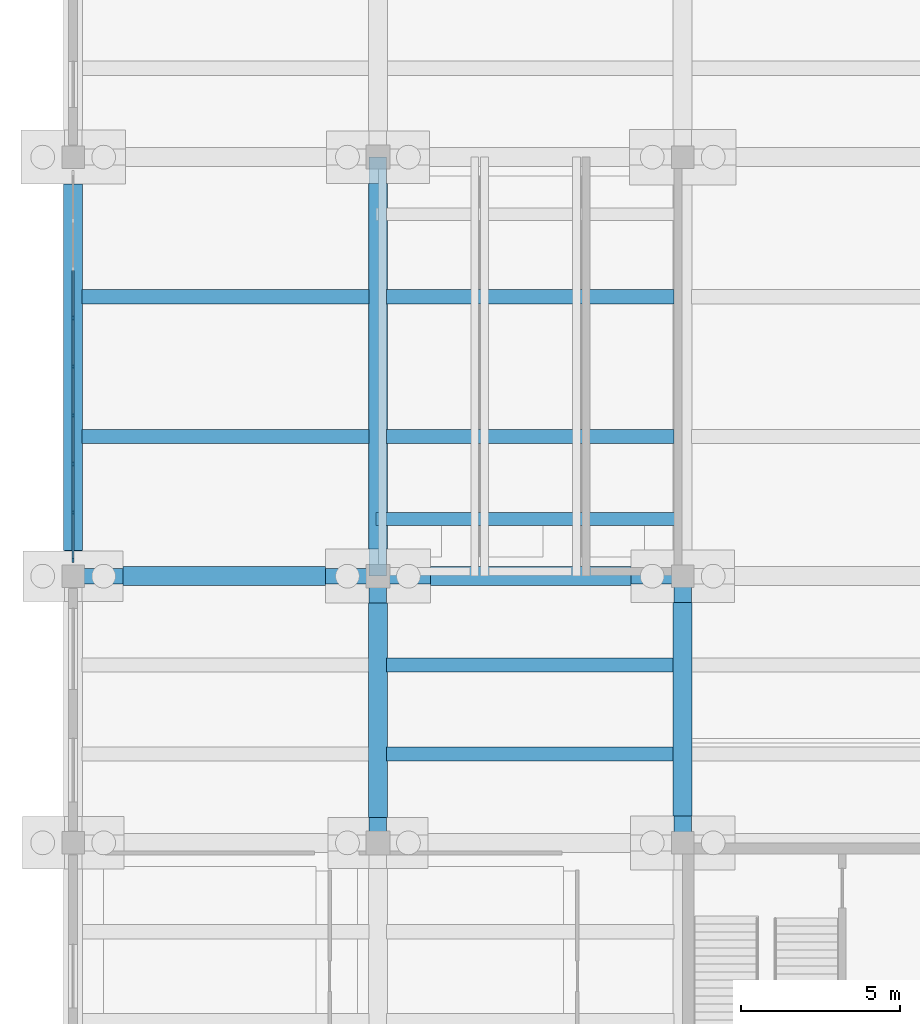
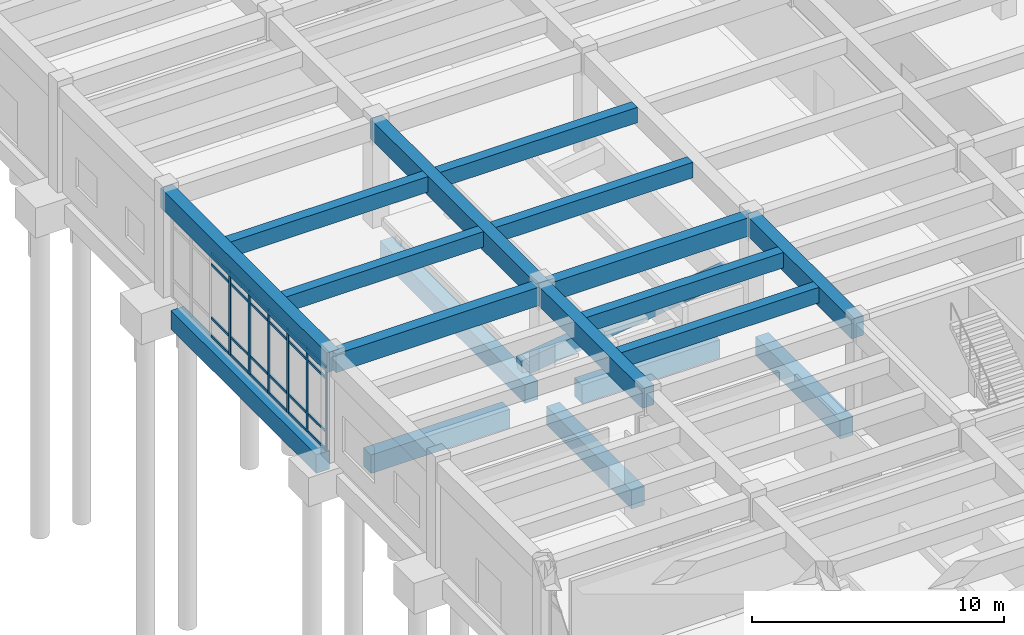
# One storey, part 15 of 102: 30 members, 19 beams, 1 element without a shape of its own.
"""IFC4 building model written with IfcOpenShell, lengths in metres."""

from ifc_helpers import new_model, si_unit, direction, frame, origin, origin_2d, place, context, subcontext, project, spatial, rectangle, extrude, material, layer, layer_set, material_profile, profile_set, type_object, element, aggregate, save


model = new_model("IFC4")

# Units and contexts
model_context = context("Model", 3, precision=1e-05, world=origin(), true_north=direction((0.0, 1.0)))
body_context = subcontext(model_context, "Body", "Model", "MODEL_VIEW")
ifc_project = project(units=[si_unit("LENGTHUNIT", "METRE"), si_unit("AREAUNIT", "SQUARE_METRE"), si_unit("VOLUMEUNIT", "CUBIC_METRE"), si_unit("PLANEANGLEUNIT", "RADIAN"), si_unit("MASSUNIT", "GRAM", prefix="KILO")], contexts=[model_context])

# Site, building, storey
site_placement = place(None, origin())
site = spatial("IfcSite", under=ifc_project, at=site_placement, CompositionType="ELEMENT")
building_placement = place(site_placement, origin())
building = spatial("IfcBuilding", under=site, at=building_placement, Name="Kolvemor Railside Polytechnic", CompositionType="ELEMENT")
storey_placement = place(building_placement, origin())
storey = spatial("IfcBuildingStorey", under=building, at=storey_placement, Name="L00", CompositionType="ELEMENT", Elevation=0.0)

# Beams
ifc_material_1 = material(Name="Concrete C40/50", Category="concrete")
ifc_material_profile_1 = material_profile(ifc_material_1, rectangle(XDim=0.550048828125, YDim=0.949951171875, at=origin_2d()), Name="RC550x950")
ifc_profile_set_1 = profile_set([ifc_material_profile_1], Name="Concrete C40/50")
beam_type_1 = type_object("IfcBeamType", Name="BM-RC-GIRD", PredefinedType="BEAM", material=ifc_profile_set_1)
beam_1_placement = place(storey_placement, frame((0.0, 38.39990234375, 4.635009765625), z_axis=(0.0, 1.0, 0.0), x_axis=(-1.0, 0.0, 0.0)))
element("IfcBeam", 1, at=beam_1_placement, inside=storey, type_object=beam_type_1, Name="Primary Girder L01-GY 0055", PredefinedType="BEAM", context=body_context, shape_type="SweptSolid", body=[
    extrude(rectangle(XDim=0.550048828125, YDim=0.949951171875, at=origin_2d()), origin(), (0.0, 0.0, 1.0), 13.2001953125),
])
beam_2_placement = place(storey_placement, frame((9.60009765625, 30.0, 4.635009765625), z_axis=(0.0, 1.0, 0.0), x_axis=(-1.0, 0.0, 0.0)))
element("IfcBeam", 2, at=beam_2_placement, inside=storey, type_object=beam_type_1, Name="Primary Girder L01-GY 0063", PredefinedType="BEAM", context=body_context, shape_type="SweptSolid", body=[
    extrude(rectangle(XDim=0.550048828125, YDim=0.949951171875, at=origin_2d()), origin(), (0.0, 0.0, 1.0), 8.39990234375),
])
beam_3_placement = place(storey_placement, frame((9.60009765625, 38.39990234375, 4.635009765625), z_axis=(0.0, 1.0, 0.0), x_axis=(-1.0, 0.0, 0.0)))
element("IfcBeam", 3, at=beam_3_placement, inside=storey, type_object=beam_type_1, Name="Primary Girder L01-GY 0064", PredefinedType="BEAM", context=body_context, shape_type="SweptSolid", body=[
    extrude(rectangle(XDim=0.550048828125, YDim=0.949951171875, at=origin_2d()), origin(), (0.0, 0.0, 1.0), 13.2001953125),
])
beam_4_placement = place(storey_placement, frame((19.199951171875, 30.0, 4.635009765625), z_axis=(0.0, 1.0, 0.0), x_axis=(-1.0, 0.0, 0.0)))
element("IfcBeam", 4, at=beam_4_placement, inside=storey, type_object=beam_type_1, Name="Primary Girder L01-GY 0072", PredefinedType="BEAM", context=body_context, shape_type="SweptSolid", body=[
    extrude(rectangle(XDim=0.550048828125, YDim=0.949951171875, at=origin_2d()), origin(), (0.0, 0.0, 1.0), 8.39990234375),
])
ifc_material_2 = material(Name="Concrete C40/50", Category="concrete")
ifc_material_profile_2 = material_profile(ifc_material_2, rectangle(XDim=0.5, YDim=0.89990234375, at=origin_2d()), Name="RC500x900")
ifc_profile_set_2 = profile_set([ifc_material_profile_2], Name="Concrete C40/50")
beam_type_2 = type_object("IfcBeamType", Name="BM-RC-GIRD4", PredefinedType="BEAM", material=ifc_profile_set_2)
beam_5_placement = place(storey_placement, frame((0.0, 38.39990234375, 4.659912109375), z_axis=(1.0, 0.0, 0.0), x_axis=(0.0, 1.0, 0.0)))
element("IfcBeam", 5, at=beam_5_placement, inside=storey, type_object=beam_type_2, Name="Primary Girder L01-GX 0021", PredefinedType="BEAM", context=body_context, shape_type="SweptSolid", body=[
    extrude(rectangle(XDim=0.5, YDim=0.89990234375, at=origin_2d()), origin(), (0.0, 0.0, 1.0), 9.60009765625),
])
beam_6_placement = place(storey_placement, frame((9.60009765625, 38.39990234375, 4.659912109375), z_axis=(1.0, 0.0, 0.0), x_axis=(0.0, 1.0, 0.0)))
element("IfcBeam", 6, at=beam_6_placement, inside=storey, type_object=beam_type_2, Name="Primary Girder L01-GX 0022", PredefinedType="BEAM", context=body_context, shape_type="SweptSolid", body=[
    extrude(rectangle(XDim=0.5, YDim=0.89990234375, at=origin_2d()), origin(), (0.0, 0.0, 1.0), 9.599853515625),
])
ifc_material_3 = material(Name="Concrete C40/50", Category="concrete")
ifc_material_profile_3 = material_profile(ifc_material_3, rectangle(XDim=0.39990234375, YDim=0.800048828125, at=origin_2d()), Name="RC400x800")
ifc_profile_set_3 = profile_set([ifc_material_profile_3], Name="Concrete C40/50")
beam_type_3 = type_object("IfcBeamType", Name="BM-RC-RAKER", PredefinedType="BEAM", material=ifc_profile_set_3)
beam_7_placement = place(storey_placement, frame((9.60009765625, 40.199951171875, -0.10009765625), z_axis=(0.990765911477, 0.0, 0.135583585491), x_axis=(0.0, 1.0, 0.0)))
element("IfcBeam", 7, at=beam_7_placement, inside=storey, type_object=beam_type_3, Name="Lecture Raker Beam RK-2-1", PredefinedType="BEAM", context=body_context, shape_type="SweptSolid", body=[
    extrude(rectangle(XDim=0.39990234375, YDim=0.800048828125, at=origin_2d()), origin(), (0.0, 0.0, 1.0), 9.588623046875),
])
ifc_material_4 = material(Name="Concrete C40/50", Category="concrete")
ifc_material_profile_4 = material_profile(ifc_material_4, rectangle(XDim=0.449951171875, YDim=0.75, at=origin_2d()), Name="RC450x750")
ifc_profile_set_4 = profile_set([ifc_material_profile_4], Name="Concrete C40/50")
beam_type_4 = type_object("IfcBeamType", Name="BM-RC-SEC", PredefinedType="JOIST", material=ifc_profile_set_4)
for number, where, z_axis, x_axis, name in (
    (8, (0.27490234375, 42.800048828125, 4.735107421875), (1.0, 0.0, 0.0), (0.0, 1.0, 0.0), "Floor Joist L01-J0113"),
    (9, (0.27490234375, 47.199951171875, 4.735107421875), (1.0, 0.0, 0.0), (0.0, 1.0, 0.0), "Floor Joist L01-J0114"),
    (10, (9.875, 32.800048828125, 4.735107421875), (1.0, 0.0, 0.0), (0.0, 1.0, 0.0), "Floor Joist L01-J0129"),
    (11, (9.875, 35.60009765625, 4.735107421875), (1.0, 0.0, 0.0), (0.0, 1.0, 0.0), "Floor Joist L01-J0130"),
    (12, (9.875, 42.800048828125, 4.735107421875), (1.0, 0.0, 0.0), (0.0, 1.0, 0.0), "Floor Joist L01-J0131"),
    (13, (9.875, 47.199951171875, 4.735107421875), (1.0, 0.0, 0.0), (0.0, 1.0, 0.0), "Floor Joist L01-J0132"),
):
    element("IfcBeam", number, at=place(storey_placement, frame(where, z_axis=z_axis, x_axis=x_axis)), inside=storey, type_object=beam_type_4, Name=name, PredefinedType="JOIST", context=body_context, shape_type="SweptSolid", body=[
        extrude(rectangle(XDim=0.449951171875, YDim=0.75, at=origin_2d()), origin(), (0.0, 0.0, 1.0), 9.050048828125),
    ])
ifc_material_5 = material(Name="Concrete C40/50", Category="concrete")
ifc_material_profile_5 = material_profile(ifc_material_5, rectangle(XDim=0.60009765625, YDim=0.89990234375, at=origin_2d()), Name="RC600x900")
ifc_profile_set_5 = profile_set([ifc_material_profile_5], Name="Concrete C40/50")
beam_type_5 = type_object("IfcBeamType", Name="BM-RC-TIE", PredefinedType="BEAM", material=ifc_profile_set_5)
beam_8_placement = place(storey_placement, frame((1.576904296875, 38.39990234375, -0.75), z_axis=(1.0, 0.0, 0.0), x_axis=(0.0, 1.0, 0.0)))
element("IfcBeam", 14, at=beam_8_placement, inside=storey, type_object=beam_type_5, Name="Ground Tie Beam GTB-X107", PredefinedType="BEAM", context=body_context, shape_type="SweptSolid", body=[
    extrude(rectangle(XDim=0.60009765625, YDim=0.89990234375, at=origin_2d()), origin(), (0.0, 0.0, 1.0), 6.37109375),
])
beam_9_placement = place(storey_placement, frame((11.251953125, 38.39990234375, -0.75), z_axis=(1.0, 0.0, 0.0), x_axis=(0.0, 1.0, 0.0)))
element("IfcBeam", 15, at=beam_9_placement, inside=storey, type_object=beam_type_5, Name="Ground Tie Beam GTB-X108", PredefinedType="BEAM", context=body_context, shape_type="SweptSolid", body=[
    extrude(rectangle(XDim=0.60009765625, YDim=0.89990234375, at=origin_2d()), origin(), (0.0, 0.0, 1.0), 6.321044921875),
])
beam_10_placement = place(storey_placement, frame((0.0, 39.201904296875, -0.75), z_axis=(0.0, 1.0, 0.0), x_axis=(-1.0, 0.0, 0.0)))
element("IfcBeam", 16, at=beam_10_placement, inside=storey, type_object=beam_type_5, Name="Ground Tie Beam GTB-Y233", PredefinedType="BEAM", context=body_context, shape_type="SweptSolid", body=[
    extrude(rectangle(XDim=0.60009765625, YDim=0.89990234375, at=origin_2d()), origin(), (0.0, 0.0, 1.0), 11.546142578125),
])
beam_11_placement = place(storey_placement, frame((9.60009765625, 30.802001953125, -0.75), z_axis=(0.0, 1.0, 0.0), x_axis=(-1.0, 0.0, 0.0)))
element("IfcBeam", 17, at=beam_11_placement, inside=storey, type_object=beam_type_5, Name="Ground Tie Beam GTB-Y242", PredefinedType="BEAM", context=body_context, shape_type="SweptSolid", body=[
    extrude(rectangle(XDim=0.60009765625, YDim=0.89990234375, at=origin_2d()), origin(), (0.0, 0.0, 1.0), 6.74609375),
])
beam_12_placement = place(storey_placement, frame((9.60009765625, 39.251953125, -0.75), z_axis=(0.0, 1.0, 0.0), x_axis=(-1.0, 0.0, 0.0)))
element("IfcBeam", 18, at=beam_12_placement, inside=storey, type_object=beam_type_5, Name="Ground Tie Beam GTB-Y243", PredefinedType="BEAM", context=body_context, shape_type="SweptSolid", body=[
    extrude(rectangle(XDim=0.60009765625, YDim=0.89990234375, at=origin_2d()), origin(), (0.0, 0.0, 1.0), 11.52099609375),
])
beam_13_placement = place(storey_placement, frame((19.199951171875, 30.85205078125, -0.75), z_axis=(0.0, 1.0, 0.0), x_axis=(-1.0, 0.0, 0.0)))
element("IfcBeam", 19, at=beam_13_placement, inside=storey, type_object=beam_type_5, Name="Ground Tie Beam GTB-Y252", PredefinedType="BEAM", context=body_context, shape_type="SweptSolid", body=[
    extrude(rectangle(XDim=0.60009765625, YDim=0.89990234375, at=origin_2d()), origin(), (0.0, 0.0, 1.0), 6.720947265625),
])

# Curtain wall, members
ifc_material_6 = material(Name="Anodised marine aluminium and laminated low-E glass", Category="aluminium")
ifc_layer = layer(ifc_material_6, 0.179931640625, Name="CW-UNIT-STD")
ifc_layer_set = layer_set([ifc_layer], Name="Anodised marine aluminium and laminated low-E glass")
curtain_wall_type = type_object("IfcCurtainWallType", Name="CW-UNIT-STD", PredefinedType="USERDEFINED", material=ifc_layer_set)
curtain_wall_placement = place(storey_placement, origin())
curtain_wall = element("IfcCurtainWall", 20, at=curtain_wall_placement, inside=storey, type_object=curtain_wall_type, Name="Curtain Wall L00-052", ObjectType="UNITISED CURTAIN WALL", PredefinedType="USERDEFINED")
ifc_material_7 = material(Name="Anodised marine aluminium 6063-T6", Category="aluminium")
ifc_material_profile_6 = material_profile(ifc_material_7, rectangle(XDim=0.06494140625, YDim=0.14990234375, at=origin_2d()), Name="CW-MUL-65x150")
ifc_profile_set_6 = profile_set([ifc_material_profile_6], Name="Anodised marine aluminium 6063-T6")
member_type_1 = type_object("IfcMemberType", Name="CWM-65x150", PredefinedType="MULLION", material=ifc_profile_set_6)
member_1_placement = place(storey_placement, frame((0.0, 46.532470703125, 0.0), z_axis=(0.0, 0.0, 1.0), x_axis=(1.0, 0.0, 0.0)))
member_1 = element("IfcMember", 21, at=member_1_placement, type_object=member_type_1, Name="CW-STD mullion 4", PredefinedType="MULLION", context=body_context, shape_type="SweptSolid", body=[
    extrude(rectangle(XDim=0.06494140625, YDim=0.14990234375, at=origin_2d()), origin(), (0.0, 0.0, 1.0), 4.0400390625),
])
member_2_placement = place(storey_placement, frame((0.0, 45.0, 0.0), z_axis=(0.0, 0.0, 1.0), x_axis=(1.0, 0.0, 0.0)))
member_2 = element("IfcMember", 22, at=member_2_placement, type_object=member_type_1, Name="CW-STD mullion 5", PredefinedType="MULLION", context=body_context, shape_type="SweptSolid", body=[
    extrude(rectangle(XDim=0.06494140625, YDim=0.14990234375, at=origin_2d()), origin(), (0.0, 0.0, 1.0), 4.0400390625),
])
member_3_placement = place(storey_placement, frame((0.0, 43.467529296875, 0.0), z_axis=(0.0, 0.0, 1.0), x_axis=(1.0, 0.0, 0.0)))
member_3 = element("IfcMember", 23, at=member_3_placement, type_object=member_type_1, Name="CW-STD mullion 6", PredefinedType="MULLION", context=body_context, shape_type="SweptSolid", body=[
    extrude(rectangle(XDim=0.06494140625, YDim=0.14990234375, at=origin_2d()), origin(), (0.0, 0.0, 1.0), 4.0400390625),
])
member_4_placement = place(storey_placement, frame((0.0, 41.93505859375, 0.0), z_axis=(0.0, 0.0, 1.0), x_axis=(1.0, 0.0, 0.0)))
member_4 = element("IfcMember", 24, at=member_4_placement, type_object=member_type_1, Name="CW-STD mullion 7", PredefinedType="MULLION", context=body_context, shape_type="SweptSolid", body=[
    extrude(rectangle(XDim=0.06494140625, YDim=0.14990234375, at=origin_2d()), origin(), (0.0, 0.0, 1.0), 4.0400390625),
])
member_5_placement = place(storey_placement, frame((0.0, 40.402587890625, 0.0), z_axis=(0.0, 0.0, 1.0), x_axis=(1.0, 0.0, 0.0)))
member_5 = element("IfcMember", 25, at=member_5_placement, type_object=member_type_1, Name="CW-STD mullion 8", PredefinedType="MULLION", context=body_context, shape_type="SweptSolid", body=[
    extrude(rectangle(XDim=0.06494140625, YDim=0.14990234375, at=origin_2d()), origin(), (0.0, 0.0, 1.0), 4.0400390625),
])
member_6_placement = place(storey_placement, frame((0.0, 38.902587890625, 0.0), z_axis=(0.0, 0.0, 1.0), x_axis=(1.0, 0.0, 0.0)))
member_6 = element("IfcMember", 26, at=member_6_placement, type_object=member_type_1, Name="CW-STD mullion 9", PredefinedType="MULLION", context=body_context, shape_type="SweptSolid", body=[
    extrude(rectangle(XDim=0.06494140625, YDim=0.14990234375, at=origin_2d()), origin(), (0.0, 0.0, 1.0), 4.0400390625),
])
ifc_material_8 = material(Name="Anodised marine aluminium 6063-T6", Category="aluminium")
ifc_material_profile_7 = material_profile(ifc_material_8, rectangle(XDim=0.06494140625, YDim=0.1201171875, at=origin_2d()), Name="CW-TRN-65x120")
ifc_profile_set_7 = profile_set([ifc_material_profile_7], Name="Anodised marine aluminium 6063-T6")
member_type_2 = type_object("IfcMemberType", Name="CWT-65x120", PredefinedType="USERDEFINED", material=ifc_profile_set_7)
member_7_placement = place(storey_placement, frame((0.0, 48.032470703125, 0.032470703125), z_axis=(0.0, -1.0, 0.0), x_axis=(1.0, 0.0, 0.0)))
member_7 = element("IfcMember", 27, at=member_7_placement, type_object=member_type_2, Name="CW-STD transom 3.1", ObjectType="TRANSOM", PredefinedType="USERDEFINED", context=body_context, shape_type="SweptSolid", body=[
    extrude(rectangle(XDim=0.06494140625, YDim=0.1201171875, at=origin_2d()), origin(), (0.0, 0.0, 1.0), 1.467529296875),
])
member_8_placement = place(storey_placement, frame((0.0, 48.032470703125, 0.89990234375), z_axis=(0.0, -1.0, 0.0), x_axis=(1.0, 0.0, 0.0)))
member_8 = element("IfcMember", 28, at=member_8_placement, type_object=member_type_2, Name="CW-STD transom 3.2", ObjectType="TRANSOM", PredefinedType="USERDEFINED", context=body_context, shape_type="SweptSolid", body=[
    extrude(rectangle(XDim=0.06494140625, YDim=0.1201171875, at=origin_2d()), origin(), (0.0, 0.0, 1.0), 1.467529296875),
])
member_9_placement = place(storey_placement, frame((0.0, 48.032470703125, 3.489990234375), z_axis=(0.0, -1.0, 0.0), x_axis=(1.0, 0.0, 0.0)))
member_9 = element("IfcMember", 29, at=member_9_placement, type_object=member_type_2, Name="CW-STD transom 3.3", ObjectType="TRANSOM", PredefinedType="USERDEFINED", context=body_context, shape_type="SweptSolid", body=[
    extrude(rectangle(XDim=0.06494140625, YDim=0.1201171875, at=origin_2d()), origin(), (0.0, 0.0, 1.0), 1.467529296875),
])
member_10_placement = place(storey_placement, frame((0.0, 48.032470703125, 4.007568359375), z_axis=(0.0, -1.0, 0.0), x_axis=(1.0, 0.0, 0.0)))
member_10 = element("IfcMember", 30, at=member_10_placement, type_object=member_type_2, Name="CW-STD transom 3.4", ObjectType="TRANSOM", PredefinedType="USERDEFINED", context=body_context, shape_type="SweptSolid", body=[
    extrude(rectangle(XDim=0.06494140625, YDim=0.1201171875, at=origin_2d()), origin(), (0.0, 0.0, 1.0), 1.467529296875),
])
member_11_placement = place(storey_placement, frame((0.0, 46.5, 0.032470703125), z_axis=(0.0, -1.0, 0.0), x_axis=(1.0, 0.0, 0.0)))
member_11 = element("IfcMember", 31, at=member_11_placement, type_object=member_type_2, Name="CW-STD transom 4.1", ObjectType="TRANSOM", PredefinedType="USERDEFINED", context=body_context, shape_type="SweptSolid", body=[
    extrude(rectangle(XDim=0.06494140625, YDim=0.1201171875, at=origin_2d()), origin(), (0.0, 0.0, 1.0), 1.467529296875),
])
member_12_placement = place(storey_placement, frame((0.0, 46.5, 0.89990234375), z_axis=(0.0, -1.0, 0.0), x_axis=(1.0, 0.0, 0.0)))
member_12 = element("IfcMember", 32, at=member_12_placement, type_object=member_type_2, Name="CW-STD transom 4.2", ObjectType="TRANSOM", PredefinedType="USERDEFINED", context=body_context, shape_type="SweptSolid", body=[
    extrude(rectangle(XDim=0.06494140625, YDim=0.1201171875, at=origin_2d()), origin(), (0.0, 0.0, 1.0), 1.467529296875),
])
member_13_placement = place(storey_placement, frame((0.0, 46.5, 3.489990234375), z_axis=(0.0, -1.0, 0.0), x_axis=(1.0, 0.0, 0.0)))
member_13 = element("IfcMember", 33, at=member_13_placement, type_object=member_type_2, Name="CW-STD transom 4.3", ObjectType="TRANSOM", PredefinedType="USERDEFINED", context=body_context, shape_type="SweptSolid", body=[
    extrude(rectangle(XDim=0.06494140625, YDim=0.1201171875, at=origin_2d()), origin(), (0.0, 0.0, 1.0), 1.467529296875),
])
member_14_placement = place(storey_placement, frame((0.0, 46.5, 4.007568359375), z_axis=(0.0, -1.0, 0.0), x_axis=(1.0, 0.0, 0.0)))
member_14 = element("IfcMember", 34, at=member_14_placement, type_object=member_type_2, Name="CW-STD transom 4.4", ObjectType="TRANSOM", PredefinedType="USERDEFINED", context=body_context, shape_type="SweptSolid", body=[
    extrude(rectangle(XDim=0.06494140625, YDim=0.1201171875, at=origin_2d()), origin(), (0.0, 0.0, 1.0), 1.467529296875),
])
member_15_placement = place(storey_placement, frame((0.0, 44.967529296875, 0.032470703125), z_axis=(0.0, -1.0, 0.0), x_axis=(1.0, 0.0, 0.0)))
member_15 = element("IfcMember", 35, at=member_15_placement, type_object=member_type_2, Name="CW-STD transom 5.1", ObjectType="TRANSOM", PredefinedType="USERDEFINED", context=body_context, shape_type="SweptSolid", body=[
    extrude(rectangle(XDim=0.06494140625, YDim=0.1201171875, at=origin_2d()), origin(), (0.0, 0.0, 1.0), 1.467529296875),
])
member_16_placement = place(storey_placement, frame((0.0, 44.967529296875, 0.89990234375), z_axis=(0.0, -1.0, 0.0), x_axis=(1.0, 0.0, 0.0)))
member_16 = element("IfcMember", 36, at=member_16_placement, type_object=member_type_2, Name="CW-STD transom 5.2", ObjectType="TRANSOM", PredefinedType="USERDEFINED", context=body_context, shape_type="SweptSolid", body=[
    extrude(rectangle(XDim=0.06494140625, YDim=0.1201171875, at=origin_2d()), origin(), (0.0, 0.0, 1.0), 1.467529296875),
])
member_17_placement = place(storey_placement, frame((0.0, 44.967529296875, 3.489990234375), z_axis=(0.0, -1.0, 0.0), x_axis=(1.0, 0.0, 0.0)))
member_17 = element("IfcMember", 37, at=member_17_placement, type_object=member_type_2, Name="CW-STD transom 5.3", ObjectType="TRANSOM", PredefinedType="USERDEFINED", context=body_context, shape_type="SweptSolid", body=[
    extrude(rectangle(XDim=0.06494140625, YDim=0.1201171875, at=origin_2d()), origin(), (0.0, 0.0, 1.0), 1.467529296875),
])
member_18_placement = place(storey_placement, frame((0.0, 44.967529296875, 4.007568359375), z_axis=(0.0, -1.0, 0.0), x_axis=(1.0, 0.0, 0.0)))
member_18 = element("IfcMember", 38, at=member_18_placement, type_object=member_type_2, Name="CW-STD transom 5.4", ObjectType="TRANSOM", PredefinedType="USERDEFINED", context=body_context, shape_type="SweptSolid", body=[
    extrude(rectangle(XDim=0.06494140625, YDim=0.1201171875, at=origin_2d()), origin(), (0.0, 0.0, 1.0), 1.467529296875),
])
member_19_placement = place(storey_placement, frame((0.0, 43.43505859375, 0.032470703125), z_axis=(0.0, -1.0, 0.0), x_axis=(1.0, 0.0, 0.0)))
member_19 = element("IfcMember", 39, at=member_19_placement, type_object=member_type_2, Name="CW-STD transom 6.1", ObjectType="TRANSOM", PredefinedType="USERDEFINED", context=body_context, shape_type="SweptSolid", body=[
    extrude(rectangle(XDim=0.06494140625, YDim=0.1201171875, at=origin_2d()), origin(), (0.0, 0.0, 1.0), 1.467529296875),
])
member_20_placement = place(storey_placement, frame((0.0, 43.43505859375, 0.89990234375), z_axis=(0.0, -1.0, 0.0), x_axis=(1.0, 0.0, 0.0)))
member_20 = element("IfcMember", 40, at=member_20_placement, type_object=member_type_2, Name="CW-STD transom 6.2", ObjectType="TRANSOM", PredefinedType="USERDEFINED", context=body_context, shape_type="SweptSolid", body=[
    extrude(rectangle(XDim=0.06494140625, YDim=0.1201171875, at=origin_2d()), origin(), (0.0, 0.0, 1.0), 1.467529296875),
])
member_21_placement = place(storey_placement, frame((0.0, 43.43505859375, 3.489990234375), z_axis=(0.0, -1.0, 0.0), x_axis=(1.0, 0.0, 0.0)))
member_21 = element("IfcMember", 41, at=member_21_placement, type_object=member_type_2, Name="CW-STD transom 6.3", ObjectType="TRANSOM", PredefinedType="USERDEFINED", context=body_context, shape_type="SweptSolid", body=[
    extrude(rectangle(XDim=0.06494140625, YDim=0.1201171875, at=origin_2d()), origin(), (0.0, 0.0, 1.0), 1.467529296875),
])
member_22_placement = place(storey_placement, frame((0.0, 43.43505859375, 4.007568359375), z_axis=(0.0, -1.0, 0.0), x_axis=(1.0, 0.0, 0.0)))
member_22 = element("IfcMember", 42, at=member_22_placement, type_object=member_type_2, Name="CW-STD transom 6.4", ObjectType="TRANSOM", PredefinedType="USERDEFINED", context=body_context, shape_type="SweptSolid", body=[
    extrude(rectangle(XDim=0.06494140625, YDim=0.1201171875, at=origin_2d()), origin(), (0.0, 0.0, 1.0), 1.467529296875),
])
member_23_placement = place(storey_placement, frame((0.0, 41.902587890625, 0.032470703125), z_axis=(0.0, -1.0, 0.0), x_axis=(1.0, 0.0, 0.0)))
member_23 = element("IfcMember", 43, at=member_23_placement, type_object=member_type_2, Name="CW-STD transom 7.1", ObjectType="TRANSOM", PredefinedType="USERDEFINED", context=body_context, shape_type="SweptSolid", body=[
    extrude(rectangle(XDim=0.06494140625, YDim=0.1201171875, at=origin_2d()), origin(), (0.0, 0.0, 1.0), 1.467529296875),
])
member_24_placement = place(storey_placement, frame((0.0, 41.902587890625, 0.89990234375), z_axis=(0.0, -1.0, 0.0), x_axis=(1.0, 0.0, 0.0)))
member_24 = element("IfcMember", 44, at=member_24_placement, type_object=member_type_2, Name="CW-STD transom 7.2", ObjectType="TRANSOM", PredefinedType="USERDEFINED", context=body_context, shape_type="SweptSolid", body=[
    extrude(rectangle(XDim=0.06494140625, YDim=0.1201171875, at=origin_2d()), origin(), (0.0, 0.0, 1.0), 1.467529296875),
])
member_25_placement = place(storey_placement, frame((0.0, 41.902587890625, 3.489990234375), z_axis=(0.0, -1.0, 0.0), x_axis=(1.0, 0.0, 0.0)))
member_25 = element("IfcMember", 45, at=member_25_placement, type_object=member_type_2, Name="CW-STD transom 7.3", ObjectType="TRANSOM", PredefinedType="USERDEFINED", context=body_context, shape_type="SweptSolid", body=[
    extrude(rectangle(XDim=0.06494140625, YDim=0.1201171875, at=origin_2d()), origin(), (0.0, 0.0, 1.0), 1.467529296875),
])
member_26_placement = place(storey_placement, frame((0.0, 41.902587890625, 4.007568359375), z_axis=(0.0, -1.0, 0.0), x_axis=(1.0, 0.0, 0.0)))
member_26 = element("IfcMember", 46, at=member_26_placement, type_object=member_type_2, Name="CW-STD transom 7.4", ObjectType="TRANSOM", PredefinedType="USERDEFINED", context=body_context, shape_type="SweptSolid", body=[
    extrude(rectangle(XDim=0.06494140625, YDim=0.1201171875, at=origin_2d()), origin(), (0.0, 0.0, 1.0), 1.467529296875),
])
member_27_placement = place(storey_placement, frame((0.0, 40.3701171875, 0.032470703125), z_axis=(0.0, -1.0, 0.0), x_axis=(1.0, 0.0, 0.0)))
member_27 = element("IfcMember", 47, at=member_27_placement, type_object=member_type_2, Name="CW-STD transom 8.1", ObjectType="TRANSOM", PredefinedType="USERDEFINED", context=body_context, shape_type="SweptSolid", body=[
    extrude(rectangle(XDim=0.06494140625, YDim=0.1201171875, at=origin_2d()), origin(), (0.0, 0.0, 1.0), 1.43505859375),
])
member_28_placement = place(storey_placement, frame((0.0, 40.3701171875, 0.89990234375), z_axis=(0.0, -1.0, 0.0), x_axis=(1.0, 0.0, 0.0)))
member_28 = element("IfcMember", 48, at=member_28_placement, type_object=member_type_2, Name="CW-STD transom 8.2", ObjectType="TRANSOM", PredefinedType="USERDEFINED", context=body_context, shape_type="SweptSolid", body=[
    extrude(rectangle(XDim=0.06494140625, YDim=0.1201171875, at=origin_2d()), origin(), (0.0, 0.0, 1.0), 1.43505859375),
])
member_29_placement = place(storey_placement, frame((0.0, 40.3701171875, 3.489990234375), z_axis=(0.0, -1.0, 0.0), x_axis=(1.0, 0.0, 0.0)))
member_29 = element("IfcMember", 49, at=member_29_placement, type_object=member_type_2, Name="CW-STD transom 8.3", ObjectType="TRANSOM", PredefinedType="USERDEFINED", context=body_context, shape_type="SweptSolid", body=[
    extrude(rectangle(XDim=0.06494140625, YDim=0.1201171875, at=origin_2d()), origin(), (0.0, 0.0, 1.0), 1.43505859375),
])
member_30_placement = place(storey_placement, frame((0.0, 40.3701171875, 4.007568359375), z_axis=(0.0, -1.0, 0.0), x_axis=(1.0, 0.0, 0.0)))
member_30 = element("IfcMember", 50, at=member_30_placement, type_object=member_type_2, Name="CW-STD transom 8.4", ObjectType="TRANSOM", PredefinedType="USERDEFINED", context=body_context, shape_type="SweptSolid", body=[
    extrude(rectangle(XDim=0.06494140625, YDim=0.1201171875, at=origin_2d()), origin(), (0.0, 0.0, 1.0), 1.43505859375),
])
aggregate(curtain_wall, [member_1, member_2, member_3, member_4, member_5, member_6, member_7, member_8, member_9, member_10, member_11, member_12, member_13, member_14, member_15, member_16, member_17, member_18, member_19, member_20, member_21, member_22, member_23, member_24, member_25, member_26, member_27, member_28, member_29, member_30])

save(model, "model.ifc")
